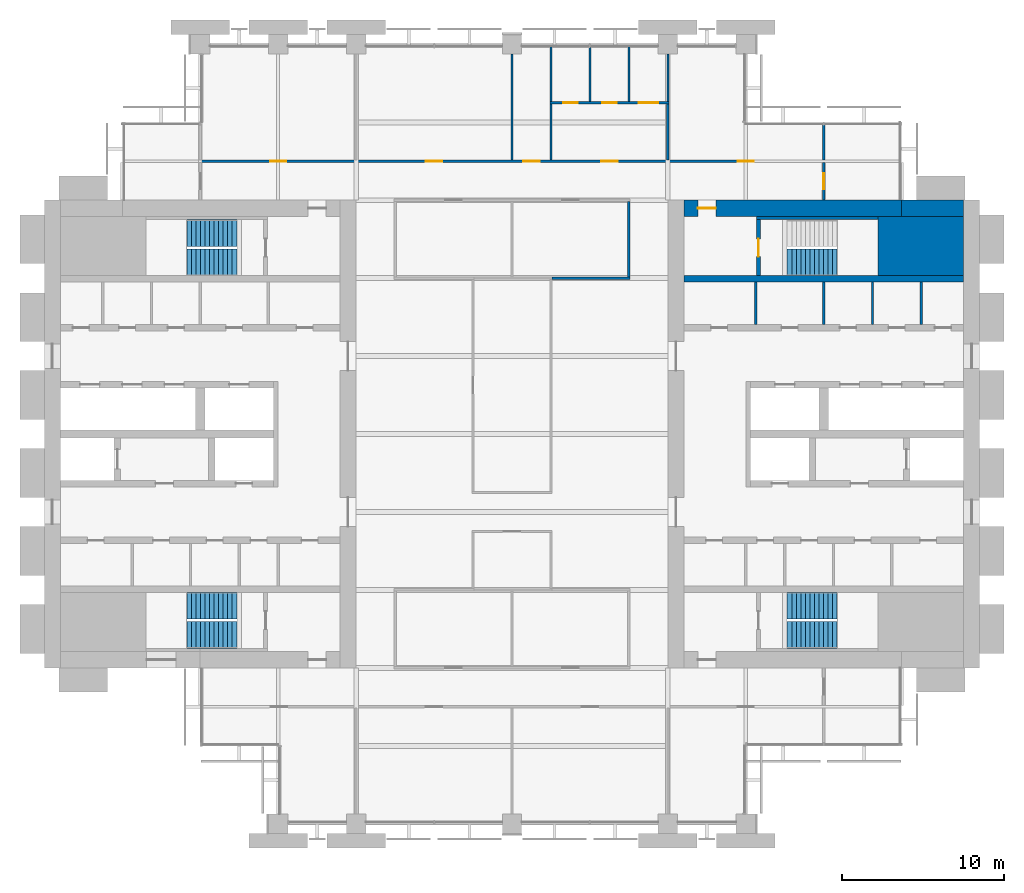
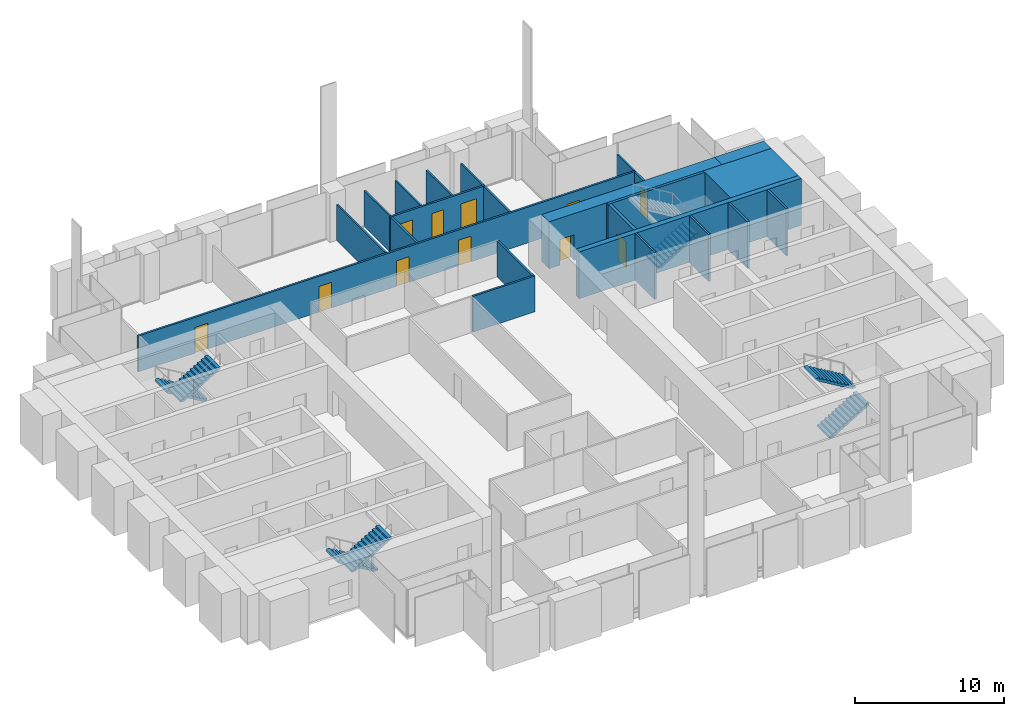
# One storey, part 12 of 14: 23 walls, 11 doors, 7 stair flights, 11 openings, 4 elements without a shape of their own.
"""IFC4 building model written with IfcOpenShell, lengths in metres."""

import ifcopenshell
import ifcopenshell.guid

model = None  # the IFC model being written
_history = None  # IfcOwnerHistory: only IFC2X3 demands one
_inside = {}  # id of a spatial element -> (the spatial element, [elements in it])
_under = {}  # id of a project, library or spatial element -> (it, [spatial elements below it])
_declared = {}  # id of a project -> (the project, [libraries it declares])
_typed = {}  # id of a type object -> (the type object, [elements of that type])
_made_of = {}  # id of a material, layer set ... -> (it, [elements and type objects made of it])


def new_model(schema):
    """Start an empty IFC model of exactly this schema.

    Asked for "IFC4X3", IfcOpenShell would pick the latest addendum, in which some entities
    have other attributes; the version numbers below select the first issue.
    IFC2X3 requires an IfcOwnerHistory on every rooted entity: one is made here for all.
    """
    global model, _history
    if schema == "IFC4X3":
        model = ifcopenshell.file(schema_version=(4, 3, 0, 0))
    else:
        model = ifcopenshell.file(schema=schema)
    _inside.clear()
    _under.clear()
    _declared.clear()
    _typed.clear()
    _made_of.clear()
    _history = None
    if model.schema == "IFC2X3":
        org = make("IfcOrganization", Name="unknown")
        user = make(
            "IfcPersonAndOrganization",
            ThePerson=make("IfcPerson", FamilyName="unknown"),
            TheOrganization=org,
        )
        app = make(
            "IfcApplication",
            ApplicationDeveloper=org,
            Version="unknown",
            ApplicationFullName="unknown",
            ApplicationIdentifier="unknown",
        )
        _history = make(
            "IfcOwnerHistory",
            OwningUser=user,
            OwningApplication=app,
            ChangeAction="ADDED",
            CreationDate=0,
        )
    return model


def make(cls, **values):
    """One entity of the class cls with the attributes given. An attribute that is None is left unset."""
    return model.create_entity(
        cls, **{name: value for name, value in values.items() if value is not None}
    )


def rooted(cls, **values):
    """An entity with a GlobalId (a new one), such as an element, a storey or a relation."""
    return make(cls, GlobalId=ifcopenshell.guid.new(), OwnerHistory=_history, **values)


def si_unit(unit_type, name, prefix=None):
    """IfcSIUnit, for example si_unit("LENGTHUNIT", "METRE", prefix="MILLI")."""
    return make("IfcSIUnit", UnitType=unit_type, Prefix=prefix, Name=name)


def assignment(units):
    """IfcUnitAssignment: the units of a project."""
    return None if units is None else make("IfcUnitAssignment", Units=units)


def point(xyz):
    """IfcCartesianPoint."""
    return None if xyz is None else make("IfcCartesianPoint", Coordinates=xyz)


def direction(xyz):
    """IfcDirection."""
    return None if xyz is None else make("IfcDirection", DirectionRatios=xyz)


def frame(location, z_axis=None, x_axis=None):
    """IfcAxis2Placement3D, a coordinate frame: its origin and axes. An axis left out is left unset."""
    return make(
        "IfcAxis2Placement3D",
        Location=point(location),
        Axis=direction(z_axis),
        RefDirection=direction(x_axis),
    )


def frame_2d(location, x_axis=None):
    """IfcAxis2Placement2D, a coordinate frame in the plane: its origin and x axis."""
    return make(
        "IfcAxis2Placement2D", Location=point(location), RefDirection=direction(x_axis)
    )


def origin():
    """The frame at (0, 0, 0) with its axes left unset."""
    return frame((0.0, 0.0, 0.0))


def place(relative_to, where):
    """IfcLocalPlacement: puts the frame where relative to a parent placement (None: the world)."""
    return make(
        "IfcLocalPlacement", PlacementRelTo=relative_to, RelativePlacement=where
    )


def context(
    kind, dimensions, precision=None, world=None, true_north=None, identifier=None
):
    """IfcGeometricRepresentationContext, for example the 3D "Model" context."""
    return make(
        "IfcGeometricRepresentationContext",
        ContextIdentifier=identifier,
        ContextType=kind,
        CoordinateSpaceDimension=dimensions,
        Precision=precision,
        WorldCoordinateSystem=world,
        TrueNorth=true_north,
    )


def subcontext(parent, identifier, kind, view, scale=None):
    """IfcGeometricRepresentationSubContext, for example "Body" below "Model"."""
    return make(
        "IfcGeometricRepresentationSubContext",
        ContextIdentifier=identifier,
        ContextType=kind,
        ParentContext=parent,
        TargetScale=scale,
        TargetView=view,
    )


def project(units=None, contexts=None):
    """IfcProject with its units and contexts."""
    return rooted(
        "IfcProject",
        Name="project",
        RepresentationContexts=contexts,
        UnitsInContext=assignment(units),
    )


def spatial(cls, under=None, at=None, **own):
    """A site, building, storey or space (cls), placed at a placement, below another one or the project."""
    s = rooted(cls, ObjectPlacement=at, **own)
    if under is not None:
        _under.setdefault(under.id(), (under, []))[1].append(s)
    return s


def polyline(points):
    """IfcPolyline through the points."""
    return make("IfcPolyline", Points=[point(p) for p in points])


def profile(cls, at=None, kind="AREA", **sizes):
    """A parametric profile (cls). Its sizes go by their IFC names, for example OverallWidth=200.0."""
    return make(cls, ProfileType=kind, Position=at, **sizes)


def rectangle(**sizes):
    """IfcRectangleProfileDef."""
    return profile("IfcRectangleProfileDef", **sizes)


def outline(outer, holes=None, kind="AREA"):
    """IfcArbitraryClosedProfileDef: a profile drawn as a closed curve; with holes, ...WithVoids."""
    if holes is None:
        return make("IfcArbitraryClosedProfileDef", ProfileType=kind, OuterCurve=outer)
    return make(
        "IfcArbitraryProfileDefWithVoids",
        ProfileType=kind,
        OuterCurve=outer,
        InnerCurves=holes,
    )


def extrude(swept, where, along, depth):
    """IfcExtrudedAreaSolid: the profile swept, set in the frame where, extruded along a direction by depth."""
    return make(
        "IfcExtrudedAreaSolid",
        SweptArea=swept,
        Position=where,
        ExtrudedDirection=direction(along),
        Depth=depth,
    )


def shape(context_of_items, identifier, shape_type, items):
    """IfcShapeRepresentation: the items that make up one representation, for example the "Body"."""
    return make(
        "IfcShapeRepresentation",
        ContextOfItems=context_of_items,
        RepresentationIdentifier=identifier,
        RepresentationType=shape_type,
        Items=items,
    )


def material(Name=None, Category=None):
    """IfcMaterial."""
    return make("IfcMaterial", Name=Name, Category=Category)


def layer(
    of_material, thickness, ventilated=None, Name=None, Category=None, Priority=None
):
    """IfcMaterialLayer: one layer of a wall or slab, of a material (None: an air gap)."""
    return make(
        "IfcMaterialLayer",
        Material=of_material,
        LayerThickness=thickness,
        IsVentilated=ventilated,
        Name=Name,
        Category=Category,
        Priority=Priority,
    )


def layer_set(layers, Name=None):
    """IfcMaterialLayerSet."""
    return make("IfcMaterialLayerSet", MaterialLayers=layers, LayerSetName=Name)


def made_of(thing, what):
    """Note that an element or type object is made of a material, layer set ...; save() writes the relation."""
    if what is not None:
        _made_of.setdefault(what.id(), (what, []))[1].append(thing)
    return thing


def type_object(cls, material=None, **own):
    """A type object (cls), such as IfcWallType, which elements share."""
    return made_of(rooted(cls, **own), material)


def element(
    cls,
    number,
    at=None,
    inside=None,
    cuts=None,
    type_object=None,
    material=None,
    context=None,
    identifier="Body",
    shape_type=None,
    held_by="IfcProductDefinitionShape",
    body=None,
    shapes=None,
    **own,
):
    """One element of the class cls, such as IfcWall. Its Tag is "e" and its number.

    at: its placement. inside: the storey or other place that contains it. cuts: it is an
    opening in that element (IfcRelVoidsElement). A single representation is given by context,
    identifier, shape_type and body (its items); several are given by shapes. held_by: the class
    of the entity that holds the representations. save() writes the other relations.
    """
    e = rooted(cls, Tag="e%d" % number, ObjectPlacement=at, **own)
    if body is not None:
        shapes = [shape(context, identifier, shape_type, body)]
    if shapes is not None:
        e.Representation = make(held_by, Representations=shapes)
    if inside is not None:
        _inside.setdefault(inside.id(), (inside, []))[1].append(e)
    if cuts is not None:
        rooted(
            "IfcRelVoidsElement", RelatingBuildingElement=cuts, RelatedOpeningElement=e
        )
    if type_object is not None:
        _typed.setdefault(type_object.id(), (type_object, []))[1].append(e)
    return made_of(e, material)


def fill(opening, filler):
    """IfcRelFillsElement: the door or window that sits in an opening."""
    return rooted(
        "IfcRelFillsElement",
        RelatingOpeningElement=opening,
        RelatedBuildingElement=filler,
    )


def aggregate(whole, parts):
    """IfcRelAggregates: a whole, such as a stair, and the parts it consists of."""
    return rooted("IfcRelAggregates", RelatingObject=whole, RelatedObjects=parts)


def save(model, path):
    """Write the relations noted so far, then the file.

    IfcRelAggregates (storeys below a building ...), IfcRelContainedInSpatialStructure (elements
    in a storey), IfcRelDefinesByType, IfcRelAssociatesMaterial and IfcRelDeclares: one each for
    every whole, place, type object, material and project.
    """
    for whole, parts in _under.values():
        aggregate(whole, parts)
    for where, things in _inside.values():
        rooted(
            "IfcRelContainedInSpatialStructure",
            RelatedElements=things,
            RelatingStructure=where,
        )
    for kind, things in _typed.values():
        rooted("IfcRelDefinesByType", RelatedObjects=things, RelatingType=kind)
    for what, things in _made_of.values():
        rooted("IfcRelAssociatesMaterial", RelatedObjects=things, RelatingMaterial=what)
    for by, libraries in _declared.values():
        rooted("IfcRelDeclares", RelatingContext=by, RelatedDefinitions=libraries)
    model.write(path)


model = new_model("IFC4")

# Units and contexts
model_context = context("Model", 3, precision=1e-05, world=origin(), true_north=direction((0.0, 1.0)))
body_context = subcontext(model_context, "Body", "Model", "MODEL_VIEW")
ifc_project = project(units=[si_unit("LENGTHUNIT", "METRE"), si_unit("AREAUNIT", "SQUARE_METRE"), si_unit("VOLUMEUNIT", "CUBIC_METRE"), si_unit("PLANEANGLEUNIT", "RADIAN"), si_unit("MASSUNIT", "GRAM", prefix="KILO")], contexts=[model_context])

# Site, building, storey
site_placement = place(None, origin())
site = spatial("IfcSite", under=ifc_project, at=site_placement, CompositionType="ELEMENT")
building_placement = place(site_placement, origin())
building = spatial("IfcBuilding", under=site, at=building_placement, Name="Baori Bourse Tower", CompositionType="ELEMENT")
storey_placement = place(building_placement, frame((0.0, 0.0, 108.10009765625)))
storey = spatial("IfcBuildingStorey", under=building, at=storey_placement, Name="L22", CompositionType="ELEMENT", Elevation=108.10009765625)

# Walls
ifc_material_1 = material(Name="Concrete f'c 60 MPa", Category="concrete")
wall_type_1 = type_object("IfcWallType", Name="Core corner block f'c 60", PredefinedType="SHEAR", material=ifc_material_1)
wall_1_placement = place(storey_placement, frame((51.35009765625, 35.574951171875, 0.0), z_axis=(0.0, 0.0, 1.0), x_axis=(1.0, 0.0, 0.0)))
element("IfcWall", 1, at=wall_1_placement, inside=storey, type_object=wall_type_1, Name="Core wall E27", PredefinedType="SHEAR", context=body_context, shape_type="SweptSolid", body=[
    extrude(rectangle(XDim=5.25, YDim=3.64990234375, at=frame_2d((2.625, 0.0))), origin(), (0.0, 0.0, 1.0), 3.83984375),
])
ifc_material_2 = material(Name="Blockwork partition", Category="masonry")
ifc_layer_1 = layer(ifc_material_2, 0.14990234375)
ifc_layer_set_1 = layer_set([ifc_layer_1], Name="Core partition 150")
wall_type_2 = type_object("IfcWallType", Name="Core partition 150", PredefinedType="PARTITIONING", material=ifc_layer_set_1)
for number, where, z_axis, x_axis, name in (
    (2, (54.0, 30.75, 0.0), (0.0, 0.0, 1.0), (0.0, 1.0, 0.0), "Partition wall E22"),
    (3, (51.0, 30.75, 0.0), (0.0, 0.0, 1.0), (0.0, 1.0, 0.0), "Partition wall E23"),
    (4, (48.0, 30.75, 0.0), (0.0, 0.0, 1.0), (0.0, 1.0, 0.0), "Partition wall E24"),
    (5, (43.800048828125, 30.75, 0.0), (0.0, 0.0, 1.0), (0.0, 1.0, 0.0), "Partition wall E25"),
):
    element("IfcWall", number, at=place(storey_placement, frame(where, z_axis=z_axis, x_axis=x_axis)), inside=storey, type_object=wall_type_2, Name=name, PredefinedType="PARTITIONING", context=body_context, shape_type="SweptSolid", body=[
        extrude(rectangle(XDim=2.60009765625, YDim=0.14990234375, at=frame_2d((1.300048828125, 0.0))), origin(), (0.0, 0.0, 1.0), 3.83984375),
    ])
ifc_material_3 = material(Name="Concrete f'c 60 MPa", Category="concrete")
ifc_layer_2 = layer(ifc_material_3, 1.0)
ifc_layer_set_2 = layer_set([ifc_layer_2], Name="Core wall 1000 f'c 60")
wall_type_3 = type_object("IfcWallType", Name="Core wall 1000 f'c 60", PredefinedType="SHEAR", material=ifc_layer_set_2)
wall_2_placement = place(storey_placement, frame((52.800048828125, 37.89990234375, 0.0), z_axis=(0.0, 0.0, 1.0), x_axis=(1.0, 0.0, 0.0)))
element("IfcWall", 6, at=wall_2_placement, inside=storey, type_object=wall_type_3, Name="Core wall E30", PredefinedType="SHEAR", context=body_context, shape_type="SweptSolid", body=[
    extrude(rectangle(XDim=3.800048828125, YDim=1.0, at=frame_2d((1.89990234375, 0.0))), origin(), (0.0, 0.0, 1.0), 3.83984375),
])

# Wall, opening, door
wall_3_placement = place(storey_placement, frame((39.39990234375, 37.89990234375, 0.0), z_axis=(0.0, 0.0, 1.0), x_axis=(1.0, 0.0, 0.0)))
wall_3 = element("IfcWall", 7, at=wall_3_placement, inside=storey, type_object=wall_type_3, Name="Core wall E31", PredefinedType="SHEAR", context=body_context, shape_type="SweptSolid", body=[
    extrude(rectangle(XDim=13.400146484375, YDim=1.0, at=frame_2d((6.7001953125, 0.0))), origin(), (0.0, 0.0, 1.0), 3.83984375),
])
opening_1_placement = place(wall_3_placement, frame((0.85009765625, 0.0, 0.0)))
opening_1 = element("IfcOpeningElement", 8, at=opening_1_placement, cuts=wall_3, Name="Opening L22-D204", PredefinedType="OPENING", context=body_context, shape_type="SweptSolid", body=[
    extrude(rectangle(XDim=1.10009765625, YDim=2.10009765625, at=frame_2d((0.550048828125, 1.050048828125))), frame((0.0, 0.510009765625, 0.0), z_axis=(0.0, -1.0, 0.0), x_axis=(1.0, 0.0, 0.0)), (0.0, 0.0, 1.0), 1.02001953125),
])
ifc_material_4 = material(Name="Painted steel door", Category="steel")
door_type_1 = type_object("IfcDoorType", Name="Stair door 1100", OperationType="SINGLE_SWING_LEFT", PredefinedType="DOOR", material=ifc_material_4)
door_1_placement = place(opening_1_placement, origin())
door_1 = element("IfcDoor", 9, at=door_1_placement, inside=storey, type_object=door_type_1, Name="Stair vestibule door B E L22", OperationType="SINGLE_SWING_LEFT", OverallHeight=2.10009765625, OverallWidth=1.10009765625, PredefinedType="DOOR", context=body_context, shape_type="SweptSolid", body=[
    extrude(rectangle(XDim=1.10009765625, YDim=2.10009765625, at=frame_2d((0.550048828125, 1.050048828125))), frame((0.0, 0.02490234375, 0.0), z_axis=(0.0, -1.0, 0.0), x_axis=(1.0, 0.0, 0.0)), (0.0, 0.0, 1.0), 0.050048828125),
])
fill(opening_1, door_1)

# Wall
ifc_material_5 = material(Name="Gypsum board partition")
ifc_layer_3 = layer(ifc_material_5, 0.14990234375)
ifc_layer_set_3 = layer_set([ifc_layer_3], Name="Corridor partition 150")
wall_type_4 = type_object("IfcWallType", Name="Corridor partition 150", PredefinedType="PARTITIONING", material=ifc_layer_set_3)
wall_4_placement = place(storey_placement, frame((31.27490234375, 33.60009765625, 0.0), z_axis=(0.0, 0.0, 1.0), x_axis=(1.0, 0.0, 0.0)))
element("IfcWall", 10, at=wall_4_placement, inside=storey, type_object=wall_type_4, Name="Partition", PredefinedType="PARTITIONING", context=body_context, shape_type="SweptSolid", body=[
    extrude(rectangle(XDim=4.800048828125, YDim=0.14990234375, at=frame_2d((2.39990234375, 0.0))), origin(), (0.0, 0.0, 1.0), 2.935546875),
])

# Wall, openings, doors
wall_5_placement = place(storey_placement, frame((9.52490234375, 40.800048828125, 0.0), z_axis=(0.0, 0.0, 1.0), x_axis=(1.0, 0.0, 0.0)))
wall_5 = element("IfcWall", 11, at=wall_5_placement, inside=storey, type_object=wall_type_4, Name="Partition", PredefinedType="PARTITIONING", context=body_context, shape_type="SweptSolid", body=[
    extrude(rectangle(XDim=38.550048828125, YDim=0.14990234375, at=frame_2d((19.27490234375, 0.0))), origin(), (0.0, 0.0, 1.0), 2.935546875),
])
opening_2_placement = place(wall_5_placement, frame((4.375, 0.0, 0.0)))
opening_2 = element("IfcOpeningElement", 12, at=opening_2_placement, cuts=wall_5, Name="Opening L22-D10", PredefinedType="OPENING", context=body_context, shape_type="SweptSolid", body=[
    extrude(rectangle(XDim=1.0, YDim=2.10009765625, at=frame_2d((0.5, 1.050048828125))), frame((0.0, 0.0849609375, 0.0), z_axis=(0.0, -1.0, 0.0), x_axis=(1.0, 0.0, 0.0)), (0.0, 0.0, 1.0), 0.169921875),
])
opening_3_placement = place(wall_5_placement, frame((13.97509765625, 0.0, 0.0)))
opening_3 = element("IfcOpeningElement", 13, at=opening_3_placement, cuts=wall_5, Name="Opening L22-D11", PredefinedType="OPENING", context=body_context, shape_type="SweptSolid", body=[
    extrude(rectangle(XDim=1.0, YDim=2.10009765625, at=frame_2d((0.5, 1.050048828125))), frame((0.0, 0.0849609375, 0.0), z_axis=(0.0, -1.0, 0.0), x_axis=(1.0, 0.0, 0.0)), (0.0, 0.0, 1.0), 0.169921875),
])
opening_4_placement = place(wall_5_placement, frame((19.97509765625, 0.0, 0.0)))
opening_4 = element("IfcOpeningElement", 14, at=opening_4_placement, cuts=wall_5, Name="Opening L22-D12", PredefinedType="OPENING", context=body_context, shape_type="SweptSolid", body=[
    extrude(rectangle(XDim=1.0, YDim=2.10009765625, at=frame_2d((0.5, 1.050048828125))), frame((0.0, 0.0849609375, 0.0), z_axis=(0.0, -1.0, 0.0), x_axis=(1.0, 0.0, 0.0)), (0.0, 0.0, 1.0), 0.169921875),
])
opening_5_placement = place(wall_5_placement, frame((24.77490234375, 0.0, 0.0)))
opening_5 = element("IfcOpeningElement", 15, at=opening_5_placement, cuts=wall_5, Name="Opening L22-D13", PredefinedType="OPENING", context=body_context, shape_type="SweptSolid", body=[
    extrude(rectangle(XDim=1.0, YDim=2.10009765625, at=frame_2d((0.5, 1.050048828125))), frame((0.0, 0.0849609375, 0.0), z_axis=(0.0, -1.0, 0.0), x_axis=(1.0, 0.0, 0.0)), (0.0, 0.0, 1.0), 0.169921875),
])
opening_6_placement = place(wall_5_placement, frame((33.175048828125, 0.0, 0.0)))
opening_6 = element("IfcOpeningElement", 16, at=opening_6_placement, cuts=wall_5, Name="Opening L22-D14", PredefinedType="OPENING", context=body_context, shape_type="SweptSolid", body=[
    extrude(rectangle(XDim=1.0, YDim=2.10009765625, at=frame_2d((0.5, 1.050048828125))), frame((0.0, 0.0849609375, 0.0), z_axis=(0.0, -1.0, 0.0), x_axis=(1.0, 0.0, 0.0)), (0.0, 0.0, 1.0), 0.169921875),
])
ifc_material_6 = material(Name="Timber door leaf", Category="wood")
door_type_2 = type_object("IfcDoorType", Name="Door 1000 x 2100", OperationType="SINGLE_SWING_LEFT", PredefinedType="DOOR", material=ifc_material_6)
door_2_placement = place(opening_2_placement, origin())
door_2 = element("IfcDoor", 17, at=door_2_placement, inside=storey, type_object=door_type_2, Name="Door", OperationType="SINGLE_SWING_RIGHT", OverallHeight=2.10009765625, OverallWidth=1.0, PredefinedType="DOOR", context=body_context, shape_type="SweptSolid", body=[
    extrude(rectangle(XDim=1.0, YDim=2.10009765625, at=frame_2d((0.5, 1.050048828125))), frame((0.0, 0.02490234375, 0.0), z_axis=(0.0, -1.0, 0.0), x_axis=(1.0, 0.0, 0.0)), (0.0, 0.0, 1.0), 0.050048828125),
])
fill(opening_2, door_2)
door_3_placement = place(opening_3_placement, origin())
door_3 = element("IfcDoor", 18, at=door_3_placement, inside=storey, type_object=door_type_2, Name="Door", OperationType="SINGLE_SWING_RIGHT", OverallHeight=2.10009765625, OverallWidth=1.0, PredefinedType="DOOR", context=body_context, shape_type="SweptSolid", body=[
    extrude(rectangle(XDim=1.0, YDim=2.10009765625, at=frame_2d((0.5, 1.050048828125))), frame((0.0, 0.02490234375, 0.0), z_axis=(0.0, -1.0, 0.0), x_axis=(1.0, 0.0, 0.0)), (0.0, 0.0, 1.0), 0.050048828125),
])
fill(opening_3, door_3)
door_4_placement = place(opening_4_placement, origin())
door_4 = element("IfcDoor", 19, at=door_4_placement, inside=storey, type_object=door_type_2, Name="Door", OperationType="SINGLE_SWING_LEFT", OverallHeight=2.10009765625, OverallWidth=1.0, PredefinedType="DOOR", context=body_context, shape_type="SweptSolid", body=[
    extrude(rectangle(XDim=1.0, YDim=2.10009765625, at=frame_2d((0.5, 1.050048828125))), frame((0.0, 0.02490234375, 0.0), z_axis=(0.0, -1.0, 0.0), x_axis=(1.0, 0.0, 0.0)), (0.0, 0.0, 1.0), 0.050048828125),
])
fill(opening_4, door_4)
door_5_placement = place(opening_5_placement, origin())
door_5 = element("IfcDoor", 20, at=door_5_placement, inside=storey, type_object=door_type_2, Name="Door", OperationType="SINGLE_SWING_RIGHT", OverallHeight=2.10009765625, OverallWidth=1.0, PredefinedType="DOOR", context=body_context, shape_type="SweptSolid", body=[
    extrude(rectangle(XDim=1.0, YDim=2.10009765625, at=frame_2d((0.5, 1.050048828125))), frame((0.0, 0.02490234375, 0.0), z_axis=(0.0, -1.0, 0.0), x_axis=(1.0, 0.0, 0.0)), (0.0, 0.0, 1.0), 0.050048828125),
])
fill(opening_5, door_5)
door_6_placement = place(opening_6_placement, origin())
door_6 = element("IfcDoor", 21, at=door_6_placement, inside=storey, type_object=door_type_2, Name="Door", OperationType="SINGLE_SWING_LEFT", OverallHeight=2.10009765625, OverallWidth=1.0, PredefinedType="DOOR", context=body_context, shape_type="SweptSolid", body=[
    extrude(rectangle(XDim=1.0, YDim=2.10009765625, at=frame_2d((0.5, 1.050048828125))), frame((0.0, 0.02490234375, 0.0), z_axis=(0.0, -1.0, 0.0), x_axis=(1.0, 0.0, 0.0)), (0.0, 0.0, 1.0), 0.050048828125),
])
fill(opening_6, door_6)

wall_6_placement = place(storey_placement, frame((31.125, 44.39990234375, 0.0), z_axis=(0.0, 0.0, 1.0), x_axis=(1.0, 0.0, 0.0)))
wall_6 = element("IfcWall", 22, at=wall_6_placement, inside=storey, type_object=wall_type_4, Name="Partition", PredefinedType="PARTITIONING", context=body_context, shape_type="SweptSolid", body=[
    extrude(rectangle(XDim=7.35009765625, YDim=0.14990234375, at=frame_2d((3.675048828125, 0.0))), origin(), (0.0, 0.0, 1.0), 2.935546875),
])
opening_7_placement = place(wall_6_placement, frame((0.824951171875, 0.0, 0.0)))
opening_7 = element("IfcOpeningElement", 23, at=opening_7_placement, cuts=wall_6, Name="Opening L22-D15", PredefinedType="OPENING", context=body_context, shape_type="SweptSolid", body=[
    extrude(rectangle(XDim=0.89990234375, YDim=2.10009765625, at=frame_2d((0.449951171875, 1.050048828125))), frame((0.0, 0.0849609375, 0.0), z_axis=(0.0, -1.0, 0.0), x_axis=(1.0, 0.0, 0.0)), (0.0, 0.0, 1.0), 0.169921875),
])
opening_8_placement = place(wall_6_placement, frame((3.22509765625, 0.0, 0.0)))
opening_8 = element("IfcOpeningElement", 24, at=opening_8_placement, cuts=wall_6, Name="Opening L22-D16", PredefinedType="OPENING", context=body_context, shape_type="SweptSolid", body=[
    extrude(rectangle(XDim=0.89990234375, YDim=2.10009765625, at=frame_2d((0.449951171875, 1.050048828125))), frame((0.0, 0.0849609375, 0.0), z_axis=(0.0, -1.0, 0.0), x_axis=(1.0, 0.0, 0.0)), (0.0, 0.0, 1.0), 0.169921875),
])
opening_9_placement = place(wall_6_placement, frame((5.47509765625, 0.0, 0.0)))
opening_9 = element("IfcOpeningElement", 25, at=opening_9_placement, cuts=wall_6, Name="Opening L22-D17", PredefinedType="OPENING", context=body_context, shape_type="SweptSolid", body=[
    extrude(rectangle(XDim=1.199951171875, YDim=2.10009765625, at=frame_2d((0.60009765625, 1.050048828125))), frame((0.0, 0.0849609375, 0.0), z_axis=(0.0, -1.0, 0.0), x_axis=(1.0, 0.0, 0.0)), (0.0, 0.0, 1.0), 0.169921875),
])
ifc_material_7 = material(Name="Timber door leaf", Category="wood")
door_type_3 = type_object("IfcDoorType", Name="Door 1200 x 2100", OperationType="SINGLE_SWING_LEFT", PredefinedType="DOOR", material=ifc_material_7)
door_7_placement = place(opening_9_placement, origin())
door_7 = element("IfcDoor", 26, at=door_7_placement, inside=storey, type_object=door_type_3, Name="Door", OperationType="SINGLE_SWING_LEFT", OverallHeight=2.10009765625, OverallWidth=1.199951171875, PredefinedType="DOOR", context=body_context, shape_type="SweptSolid", body=[
    extrude(rectangle(XDim=1.199951171875, YDim=2.10009765625, at=frame_2d((0.60009765625, 1.050048828125))), frame((0.0, 0.02490234375, 0.0), z_axis=(0.0, -1.0, 0.0), x_axis=(1.0, 0.0, 0.0)), (0.0, 0.0, 1.0), 0.050048828125),
])
fill(opening_9, door_7)
ifc_material_8 = material(Name="Timber door leaf", Category="wood")
door_type_4 = type_object("IfcDoorType", Name="Door 900 x 2100", OperationType="SINGLE_SWING_LEFT", PredefinedType="DOOR", material=ifc_material_8)
door_8_placement = place(opening_7_placement, origin())
door_8 = element("IfcDoor", 27, at=door_8_placement, inside=storey, type_object=door_type_4, Name="Door", OperationType="SINGLE_SWING_RIGHT", OverallHeight=2.10009765625, OverallWidth=0.89990234375, PredefinedType="DOOR", context=body_context, shape_type="SweptSolid", body=[
    extrude(rectangle(XDim=0.89990234375, YDim=2.10009765625, at=frame_2d((0.449951171875, 1.050048828125))), frame((0.0, 0.02490234375, 0.0), z_axis=(0.0, -1.0, 0.0), x_axis=(1.0, 0.0, 0.0)), (0.0, 0.0, 1.0), 0.050048828125),
])
fill(opening_7, door_8)
door_9_placement = place(opening_8_placement, origin())
door_9 = element("IfcDoor", 28, at=door_9_placement, inside=storey, type_object=door_type_4, Name="Door", OperationType="SINGLE_SWING_RIGHT", OverallHeight=2.10009765625, OverallWidth=0.89990234375, PredefinedType="DOOR", context=body_context, shape_type="SweptSolid", body=[
    extrude(rectangle(XDim=0.89990234375, YDim=2.10009765625, at=frame_2d((0.449951171875, 1.050048828125))), frame((0.0, 0.02490234375, 0.0), z_axis=(0.0, -1.0, 0.0), x_axis=(1.0, 0.0, 0.0)), (0.0, 0.0, 1.0), 0.050048828125),
])
fill(opening_8, door_9)

# Walls
wall_7_placement = place(storey_placement, frame((31.199951171875, 40.875, 0.0), z_axis=(0.0, 0.0, 1.0), x_axis=(0.0, 1.0, 0.0)))
element("IfcWall", 29, at=wall_7_placement, inside=storey, type_object=wall_type_4, Name="Partition", PredefinedType="PARTITIONING", context=body_context, shape_type="SweptSolid", body=[
    extrude(rectangle(XDim=3.449951171875, YDim=0.14990234375, at=frame_2d((1.72509765625, 0.0))), origin(), (0.0, 0.0, 1.0), 2.935546875),
])
wall_8_placement = place(storey_placement, frame((36.0, 33.675048828125, 0.0), z_axis=(0.0, 0.0, 1.0), x_axis=(0.0, 1.0, 0.0)))
element("IfcWall", 30, at=wall_8_placement, inside=storey, type_object=wall_type_4, Name="Partition", PredefinedType="PARTITIONING", context=body_context, shape_type="SweptSolid", body=[
    extrude(rectangle(XDim=4.64990234375, YDim=0.14990234375, at=frame_2d((2.324951171875, 0.0))), origin(), (0.0, 0.0, 1.0), 2.935546875),
])
wall_9_placement = place(storey_placement, frame((38.39990234375, 40.875, 0.0), z_axis=(0.0, 0.0, 1.0), x_axis=(0.0, 1.0, 0.0)))
element("IfcWall", 31, at=wall_9_placement, inside=storey, type_object=wall_type_4, Name="Partition", PredefinedType="PARTITIONING", context=body_context, shape_type="SweptSolid", body=[
    extrude(rectangle(XDim=3.449951171875, YDim=0.14990234375, at=frame_2d((1.72509765625, 0.0))), origin(), (0.0, 0.0, 1.0), 2.935546875),
])

# Wall, opening, door
wall_10_placement = place(storey_placement, frame((48.0, 38.39990234375, 0.0), z_axis=(0.0, 0.0, 1.0), x_axis=(0.0, 1.0, 0.0)))
wall_10 = element("IfcWall", 32, at=wall_10_placement, inside=storey, type_object=wall_type_4, Name="Partition", PredefinedType="PARTITIONING", context=body_context, shape_type="SweptSolid", body=[
    extrude(rectangle(XDim=2.3251953125, YDim=0.14990234375, at=frame_2d((1.16259765625, 0.0))), origin(), (0.0, 0.0, 1.0), 2.935546875),
])
opening_10_placement = place(wall_10_placement, frame((0.66259765625, 0.0, 0.0)))
opening_10 = element("IfcOpeningElement", 33, at=opening_10_placement, cuts=wall_10, Name="Opening L22-D21", PredefinedType="OPENING", context=body_context, shape_type="SweptSolid", body=[
    extrude(rectangle(XDim=1.0, YDim=2.10009765625, at=frame_2d((0.5, 1.050048828125))), frame((0.0, 0.0849609375, 0.0), z_axis=(0.0, -1.0, 0.0), x_axis=(1.0, 0.0, 0.0)), (0.0, 0.0, 1.0), 0.169921875),
])
door_10_placement = place(opening_10_placement, origin())
door_10 = element("IfcDoor", 34, at=door_10_placement, inside=storey, type_object=door_type_2, Name="Door", OperationType="SINGLE_SWING_LEFT", OverallHeight=2.10009765625, OverallWidth=1.0, PredefinedType="DOOR", context=body_context, shape_type="SweptSolid", body=[
    extrude(rectangle(XDim=1.0, YDim=2.10009765625, at=frame_2d((0.5, 1.050048828125))), frame((0.0, 0.02490234375, 0.0), z_axis=(0.0, -1.0, 0.0), x_axis=(1.0, 0.0, 0.0)), (0.0, 0.0, 1.0), 0.050048828125),
])
fill(opening_10, door_10)

# Walls
ifc_material_9 = material(Name="Gypsum board partition")
ifc_layer_4 = layer(ifc_material_9, 0.125)
ifc_layer_set_4 = layer_set([ifc_layer_4], Name="Partition 125")
wall_type_5 = type_object("IfcWallType", Name="Partition 125", PredefinedType="PARTITIONING", material=ifc_layer_set_4)
wall_11_placement = place(storey_placement, frame((28.800048828125, 40.875, 0.0), z_axis=(0.0, 0.0, 1.0), x_axis=(0.0, 1.0, 0.0)))
element("IfcWall", 35, at=wall_11_placement, inside=storey, type_object=wall_type_5, Name="Partition", PredefinedType="PARTITIONING", context=body_context, shape_type="SweptSolid", body=[
    extrude(rectangle(XDim=6.52490234375, YDim=0.125, at=frame_2d((3.262451171875, 0.0))), origin(), (0.0, 0.0, 1.0), 2.935546875),
])
for number, where, z_axis, x_axis, name in (
    (36, (31.199951171875, 44.47509765625, 0.0), (0.0, 0.0, 1.0), (0.0, 1.0, 0.0), "Partition"),
    (37, (33.60009765625, 44.47509765625, 0.0), (0.0, 0.0, 1.0), (0.0, 1.0, 0.0), "Partition"),
    (38, (36.0, 44.47509765625, 0.0), (0.0, 0.0, 1.0), (0.0, 1.0, 0.0), "Partition"),
):
    element("IfcWall", number, at=place(storey_placement, frame(where, z_axis=z_axis, x_axis=x_axis)), inside=storey, type_object=wall_type_5, Name=name, PredefinedType="PARTITIONING", context=body_context, shape_type="SweptSolid", body=[
        extrude(rectangle(XDim=3.4248046875, YDim=0.125, at=frame_2d((1.71240234375, 0.0))), origin(), (0.0, 0.0, 1.0), 2.935546875),
    ])
wall_12_placement = place(storey_placement, frame((38.39990234375, 44.47509765625, 0.0), z_axis=(0.0, 0.0, 1.0), x_axis=(0.0, 1.0, 0.0)))
element("IfcWall", 39, at=wall_12_placement, inside=storey, type_object=wall_type_5, Name="Partition", PredefinedType="PARTITIONING", context=body_context, shape_type="SweptSolid", body=[
    extrude(rectangle(XDim=2.9248046875, YDim=0.125, at=frame_2d((1.46240234375, 0.0))), origin(), (0.0, 0.0, 1.0), 2.935546875),
])
wall_13_placement = place(storey_placement, frame((48.0, 40.875, 0.0), z_axis=(0.0, 0.0, 1.0), x_axis=(0.0, 1.0, 0.0)))
element("IfcWall", 40, at=wall_13_placement, inside=storey, type_object=wall_type_5, Name="Partition", PredefinedType="PARTITIONING", context=body_context, shape_type="SweptSolid", body=[
    extrude(rectangle(XDim=2.22509765625, YDim=0.125, at=frame_2d((1.112548828125, 0.0))), origin(), (0.0, 0.0, 1.0), 2.935546875),
])
ifc_material_10 = material(Name="Concrete f'c 60 MPa", Category="concrete")
ifc_layer_5 = layer(ifc_material_10, 0.199951171875)
ifc_layer_set_5 = layer_set([ifc_layer_5], Name="Shaft wall 200 f'c 60")
wall_type_6 = type_object("IfcWallType", Name="Shaft wall 200 f'c 60", PredefinedType="SHEAR", material=ifc_layer_set_5)
wall_14_placement = place(storey_placement, frame((43.85009765625, 37.300048828125, 0.0), z_axis=(0.0, 0.0, 1.0), x_axis=(1.0, 0.0, 0.0)))
element("IfcWall", 41, at=wall_14_placement, inside=storey, type_object=wall_type_6, Name="Core wall E29", PredefinedType="SHEAR", context=body_context, shape_type="SweptSolid", body=[
    extrude(rectangle(XDim=7.5, YDim=0.199951171875, at=frame_2d((3.75, 0.0))), origin(), (0.0, 0.0, 1.0), 3.83984375),
])

# Wall, opening, door
ifc_material_11 = material(Name="Concrete f'c 60 MPa", Category="concrete")
ifc_layer_6 = layer(ifc_material_11, 0.25)
ifc_layer_set_6 = layer_set([ifc_layer_6], Name="Shaft wall 250 f'c 60")
wall_type_7 = type_object("IfcWallType", Name="Shaft wall 250 f'c 60", PredefinedType="SHEAR", material=ifc_layer_set_6)
wall_15_placement = place(storey_placement, frame((43.97509765625, 33.75, 0.0), z_axis=(0.0, 0.0, 1.0), x_axis=(0.0, 1.0, 0.0)))
wall_15 = element("IfcWall", 42, at=wall_15_placement, inside=storey, type_object=wall_type_7, Name="Core wall E28", PredefinedType="SHEAR", context=body_context, shape_type="SweptSolid", body=[
    extrude(rectangle(XDim=3.449951171875, YDim=0.25, at=frame_2d((1.72509765625, 0.0))), origin(), (0.0, 0.0, 1.0), 3.83984375),
])
opening_11_placement = place(wall_15_placement, frame((1.175048828125, 0.0, 0.0)))
opening_11 = element("IfcOpeningElement", 43, at=opening_11_placement, cuts=wall_15, Name="Opening L22-D203", PredefinedType="OPENING", context=body_context, shape_type="SweptSolid", body=[
    extrude(rectangle(XDim=1.10009765625, YDim=2.10009765625, at=frame_2d((0.550048828125, 1.050048828125))), frame((0.0, 0.135009765625, 0.0), z_axis=(0.0, -1.0, 0.0), x_axis=(1.0, 0.0, 0.0)), (0.0, 0.0, 1.0), 0.27001953125),
])
door_11_placement = place(opening_11_placement, origin())
door_11 = element("IfcDoor", 44, at=door_11_placement, inside=storey, type_object=door_type_1, Name="Stair door B E L22", OperationType="SINGLE_SWING_LEFT", OverallHeight=2.10009765625, OverallWidth=1.10009765625, PredefinedType="DOOR", context=body_context, shape_type="SweptSolid", body=[
    extrude(rectangle(XDim=1.10009765625, YDim=2.10009765625, at=frame_2d((0.550048828125, 1.050048828125))), frame((0.0, 0.02490234375, 0.0), z_axis=(0.0, -1.0, 0.0), x_axis=(1.0, 0.0, 0.0)), (0.0, 0.0, 1.0), 0.050048828125),
])
fill(opening_11, door_11)

# Wall
ifc_material_12 = material(Name="Concrete f'c 60 MPa", Category="concrete")
ifc_layer_7 = layer(ifc_material_12, 0.39990234375)
ifc_layer_set_7 = layer_set([ifc_layer_7], Name="Shaft wall 400 f'c 60")
wall_type_8 = type_object("IfcWallType", Name="Shaft wall 400 f'c 60", PredefinedType="SHEAR", material=ifc_layer_set_7)
wall_16_placement = place(storey_placement, frame((39.39990234375, 33.550048828125, 0.0), z_axis=(0.0, 0.0, 1.0), x_axis=(1.0, 0.0, 0.0)))
element("IfcWall", 45, at=wall_16_placement, inside=storey, type_object=wall_type_8, Name="Core wall E26", PredefinedType="SHEAR", context=body_context, shape_type="SweptSolid", body=[
    extrude(rectangle(XDim=17.2001953125, YDim=0.39990234375, at=frame_2d((8.60009765625, 0.0))), origin(), (0.0, 0.0, 1.0), 3.83984375),
])

# Stair, stair flights
ifc_material_13 = material(Name="Concrete f'c 50 MPa", Category="concrete")
stair_type = type_object("IfcStairType", Name="Core stair", PredefinedType="HALF_TURN_STAIR", material=ifc_material_13)
stair_1_placement = place(storey_placement, origin())
stair_1 = element("IfcStair", 46, at=stair_1_placement, inside=storey, type_object=stair_type, Name="L22 Stair WA", PredefinedType="HALF_TURN_STAIR")
ifc_material_14 = material(Name="Concrete f'c 50 MPa", Category="concrete")
stair_flight_type = type_object("IfcStairFlightType", Name="Core stair flight", PredefinedType="STRAIGHT", material=ifc_material_14)
stair_flight_1_placement = place(storey_placement, frame((11.85009765625, 13.425048828125, 0.0), z_axis=(0.0, 0.0, 1.0), x_axis=(-1.0, 0.0, 0.0)))
stair_flight_1 = element("IfcStairFlight", 47, at=stair_flight_1_placement, type_object=stair_flight_type, Name="ST1 flight 1", NumberOfRisers=12, NumberOfTreads=11, PredefinedType="STRAIGHT", RiserHeight=0.166666667, TreadLength=0.28, context=body_context, shape_type="SweptSolid", body=[
    extrude(outline(polyline([(0.0, 0.0), (0.0, 0.166748046875), (0.280029296875, 0.166748046875), (0.280029296875, 0.333251953125), (0.56005859375, 0.333251953125), (0.56005859375, 0.5), (0.840087890625, 0.5), (0.840087890625, 0.666748046875), (1.1201171875, 0.666748046875), (1.1201171875, 0.833251953125), (1.39990234375, 0.833251953125), (1.39990234375, 1.0), (1.679931640625, 1.0), (1.679931640625, 1.166748046875), (1.9599609375, 1.166748046875), (1.9599609375, 1.333251953125), (2.239990234375, 1.333251953125), (2.239990234375, 1.5), (2.52001953125, 1.5), (2.52001953125, 1.666748046875), (2.800048828125, 1.666748046875), (2.800048828125, 1.833251953125), (3.080078125, 1.833251953125), (3.080078125, 2.0), (3.080078125, 1.658935546875), (0.29296875, 0.0), (0.0, 0.0)])), frame((0.0, 0.824951171875, 0.0), z_axis=(0.0, -1.0, 0.0), x_axis=(1.0, 0.0, 0.0)), (0.0, 0.0, 1.0), 1.64990234375),
])
stair_flight_2_placement = place(storey_placement, frame((8.77001953125, 11.625, 2.0), z_axis=(0.0, 0.0, 1.0), x_axis=(1.0, 0.0, 0.0)))
stair_flight_2 = element("IfcStairFlight", 48, at=stair_flight_2_placement, type_object=stair_flight_type, Name="ST1 flight 2", NumberOfRisers=12, NumberOfTreads=11, PredefinedType="STRAIGHT", RiserHeight=0.166666667, TreadLength=0.28, context=body_context, shape_type="SweptSolid", body=[
    extrude(outline(polyline([(0.0, 0.0), (0.0, 0.166748046875), (0.280029296875, 0.166748046875), (0.280029296875, 0.333251953125), (0.56005859375, 0.333251953125), (0.56005859375, 0.5), (0.840087890625, 0.5), (0.840087890625, 0.666748046875), (1.1201171875, 0.666748046875), (1.1201171875, 0.833251953125), (1.39990234375, 0.833251953125), (1.39990234375, 1.0), (1.679931640625, 1.0), (1.679931640625, 1.166748046875), (1.9599609375, 1.166748046875), (1.9599609375, 1.333251953125), (2.239990234375, 1.333251953125), (2.239990234375, 1.5), (2.52001953125, 1.5), (2.52001953125, 1.666748046875), (2.800048828125, 1.666748046875), (2.800048828125, 1.833251953125), (3.080078125, 1.833251953125), (3.080078125, 2.0), (3.080078125, 1.658935546875), (0.29296875, 0.0), (0.0, 0.0)])), frame((0.0, 0.824951171875, 0.0), z_axis=(0.0, -1.0, 0.0), x_axis=(1.0, 0.0, 0.0)), (0.0, 0.0, 1.0), 1.64990234375),
])
aggregate(stair_1, [stair_flight_1, stair_flight_2])

stair_2_placement = place(storey_placement, origin())
stair_2 = element("IfcStair", 49, at=stair_2_placement, inside=storey, type_object=stair_type, Name="L22 Stair WB", PredefinedType="HALF_TURN_STAIR")
stair_flight_3_placement = place(storey_placement, frame((11.85009765625, 36.375, 0.0), z_axis=(0.0, 0.0, 1.0), x_axis=(-1.0, 0.0, 0.0)))
stair_flight_3 = element("IfcStairFlight", 50, at=stair_flight_3_placement, type_object=stair_flight_type, Name="ST2 flight 1", NumberOfRisers=12, NumberOfTreads=11, PredefinedType="STRAIGHT", RiserHeight=0.166666667, TreadLength=0.28, context=body_context, shape_type="SweptSolid", body=[
    extrude(outline(polyline([(0.0, 0.0), (0.0, 0.166748046875), (0.280029296875, 0.166748046875), (0.280029296875, 0.333251953125), (0.56005859375, 0.333251953125), (0.56005859375, 0.5), (0.840087890625, 0.5), (0.840087890625, 0.666748046875), (1.1201171875, 0.666748046875), (1.1201171875, 0.833251953125), (1.39990234375, 0.833251953125), (1.39990234375, 1.0), (1.679931640625, 1.0), (1.679931640625, 1.166748046875), (1.9599609375, 1.166748046875), (1.9599609375, 1.333251953125), (2.239990234375, 1.333251953125), (2.239990234375, 1.5), (2.52001953125, 1.5), (2.52001953125, 1.666748046875), (2.800048828125, 1.666748046875), (2.800048828125, 1.833251953125), (3.080078125, 1.833251953125), (3.080078125, 2.0), (3.080078125, 1.658935546875), (0.29296875, 0.0), (0.0, 0.0)])), frame((0.0, 0.824951171875, 0.0), z_axis=(0.0, -1.0, 0.0), x_axis=(1.0, 0.0, 0.0)), (0.0, 0.0, 1.0), 1.64990234375),
])
stair_flight_4_placement = place(storey_placement, frame((8.77001953125, 34.574951171875, 2.0), z_axis=(0.0, 0.0, 1.0), x_axis=(1.0, 0.0, 0.0)))
stair_flight_4 = element("IfcStairFlight", 51, at=stair_flight_4_placement, type_object=stair_flight_type, Name="ST2 flight 2", NumberOfRisers=12, NumberOfTreads=11, PredefinedType="STRAIGHT", RiserHeight=0.166666667, TreadLength=0.28, context=body_context, shape_type="SweptSolid", body=[
    extrude(outline(polyline([(0.0, 0.0), (0.0, 0.166748046875), (0.280029296875, 0.166748046875), (0.280029296875, 0.333251953125), (0.56005859375, 0.333251953125), (0.56005859375, 0.5), (0.840087890625, 0.5), (0.840087890625, 0.666748046875), (1.1201171875, 0.666748046875), (1.1201171875, 0.833251953125), (1.39990234375, 0.833251953125), (1.39990234375, 1.0), (1.679931640625, 1.0), (1.679931640625, 1.166748046875), (1.9599609375, 1.166748046875), (1.9599609375, 1.333251953125), (2.239990234375, 1.333251953125), (2.239990234375, 1.5), (2.52001953125, 1.5), (2.52001953125, 1.666748046875), (2.800048828125, 1.666748046875), (2.800048828125, 1.833251953125), (3.080078125, 1.833251953125), (3.080078125, 2.0), (3.080078125, 1.658935546875), (0.29296875, 0.0), (0.0, 0.0)])), frame((0.0, 0.824951171875, 0.0), z_axis=(0.0, -1.0, 0.0), x_axis=(1.0, 0.0, 0.0)), (0.0, 0.0, 1.0), 1.64990234375),
])
aggregate(stair_2, [stair_flight_3, stair_flight_4])

stair_3_placement = place(storey_placement, origin())
stair_3 = element("IfcStair", 52, at=stair_3_placement, inside=storey, type_object=stair_type, Name="L22 Stair EA", PredefinedType="HALF_TURN_STAIR")
stair_flight_5_placement = place(storey_placement, frame((45.75, 11.625, 0.0), z_axis=(0.0, 0.0, 1.0), x_axis=(1.0, 0.0, 0.0)))
stair_flight_5 = element("IfcStairFlight", 53, at=stair_flight_5_placement, type_object=stair_flight_type, Name="ST3 flight 1", NumberOfRisers=12, NumberOfTreads=11, PredefinedType="STRAIGHT", RiserHeight=0.166666667, TreadLength=0.28, context=body_context, shape_type="SweptSolid", body=[
    extrude(outline(polyline([(0.0, 0.0), (0.0, 0.166748046875), (0.280029296875, 0.166748046875), (0.280029296875, 0.333251953125), (0.56005859375, 0.333251953125), (0.56005859375, 0.5), (0.840087890625, 0.5), (0.840087890625, 0.666748046875), (1.1201171875, 0.666748046875), (1.1201171875, 0.833251953125), (1.39990234375, 0.833251953125), (1.39990234375, 1.0), (1.679931640625, 1.0), (1.679931640625, 1.166748046875), (1.9599609375, 1.166748046875), (1.9599609375, 1.333251953125), (2.239990234375, 1.333251953125), (2.239990234375, 1.5), (2.52001953125, 1.5), (2.52001953125, 1.666748046875), (2.800048828125, 1.666748046875), (2.800048828125, 1.833251953125), (3.080078125, 1.833251953125), (3.080078125, 2.0), (3.080078125, 1.658935546875), (0.29296875, 0.0), (0.0, 0.0)])), frame((0.0, 0.824951171875, 0.0), z_axis=(0.0, -1.0, 0.0), x_axis=(1.0, 0.0, 0.0)), (0.0, 0.0, 1.0), 1.64990234375),
])
stair_flight_6_placement = place(storey_placement, frame((48.830078125, 13.425048828125, 2.0), z_axis=(0.0, 0.0, 1.0), x_axis=(-1.0, 0.0, 0.0)))
stair_flight_6 = element("IfcStairFlight", 54, at=stair_flight_6_placement, type_object=stair_flight_type, Name="ST3 flight 2", NumberOfRisers=12, NumberOfTreads=11, PredefinedType="STRAIGHT", RiserHeight=0.166666667, TreadLength=0.28, context=body_context, shape_type="SweptSolid", body=[
    extrude(outline(polyline([(0.0, 0.0), (0.0, 0.166748046875), (0.280029296875, 0.166748046875), (0.280029296875, 0.333251953125), (0.56005859375, 0.333251953125), (0.56005859375, 0.5), (0.840087890625, 0.5), (0.840087890625, 0.666748046875), (1.1201171875, 0.666748046875), (1.1201171875, 0.833251953125), (1.39990234375, 0.833251953125), (1.39990234375, 1.0), (1.679931640625, 1.0), (1.679931640625, 1.166748046875), (1.9599609375, 1.166748046875), (1.9599609375, 1.333251953125), (2.239990234375, 1.333251953125), (2.239990234375, 1.5), (2.52001953125, 1.5), (2.52001953125, 1.666748046875), (2.800048828125, 1.666748046875), (2.800048828125, 1.833251953125), (3.080078125, 1.833251953125), (3.080078125, 2.0), (3.080078125, 1.658935546875), (0.29296875, 0.0), (0.0, 0.0)])), frame((0.0, 0.824951171875, 0.0), z_axis=(0.0, -1.0, 0.0), x_axis=(1.0, 0.0, 0.0)), (0.0, 0.0, 1.0), 1.64990234375),
])
aggregate(stair_3, [stair_flight_5, stair_flight_6])

# Stair, stair flight
stair_4_placement = place(storey_placement, origin())
stair_4 = element("IfcStair", 55, at=stair_4_placement, inside=storey, type_object=stair_type, Name="L22 Stair EB", PredefinedType="HALF_TURN_STAIR")
stair_flight_7_placement = place(storey_placement, frame((45.75, 34.574951171875, 0.0), z_axis=(0.0, 0.0, 1.0), x_axis=(1.0, 0.0, 0.0)))
stair_flight_7 = element("IfcStairFlight", 56, at=stair_flight_7_placement, type_object=stair_flight_type, Name="ST4 flight 1", NumberOfRisers=12, NumberOfTreads=11, PredefinedType="STRAIGHT", RiserHeight=0.166666667, TreadLength=0.28, context=body_context, shape_type="SweptSolid", body=[
    extrude(outline(polyline([(0.0, 0.0), (0.0, 0.166748046875), (0.280029296875, 0.166748046875), (0.280029296875, 0.333251953125), (0.56005859375, 0.333251953125), (0.56005859375, 0.5), (0.840087890625, 0.5), (0.840087890625, 0.666748046875), (1.1201171875, 0.666748046875), (1.1201171875, 0.833251953125), (1.39990234375, 0.833251953125), (1.39990234375, 1.0), (1.679931640625, 1.0), (1.679931640625, 1.166748046875), (1.9599609375, 1.166748046875), (1.9599609375, 1.333251953125), (2.239990234375, 1.333251953125), (2.239990234375, 1.5), (2.52001953125, 1.5), (2.52001953125, 1.666748046875), (2.800048828125, 1.666748046875), (2.800048828125, 1.833251953125), (3.080078125, 1.833251953125), (3.080078125, 2.0), (3.080078125, 1.658935546875), (0.29296875, 0.0), (0.0, 0.0)])), frame((0.0, 0.824951171875, 0.0), z_axis=(0.0, -1.0, 0.0), x_axis=(1.0, 0.0, 0.0)), (0.0, 0.0, 1.0), 1.64990234375),
])
aggregate(stair_4, [stair_flight_7])

save(model, "model.ifc")
